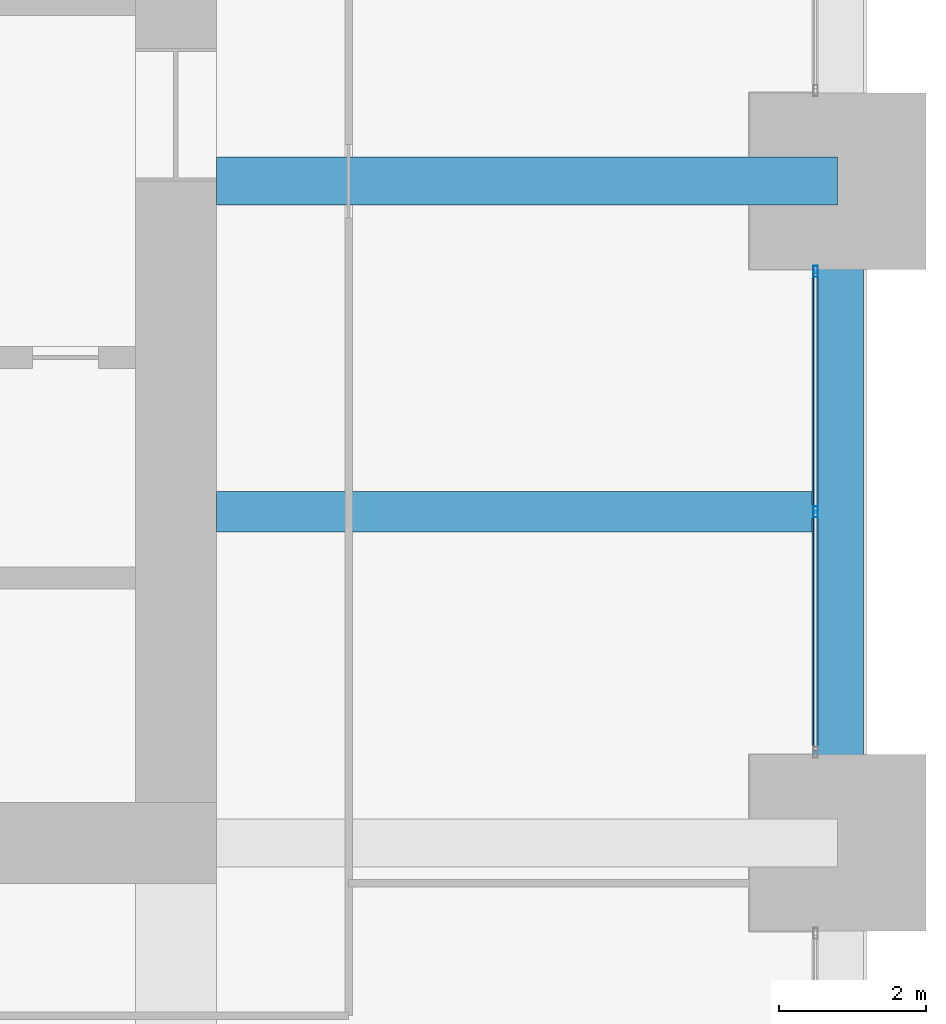
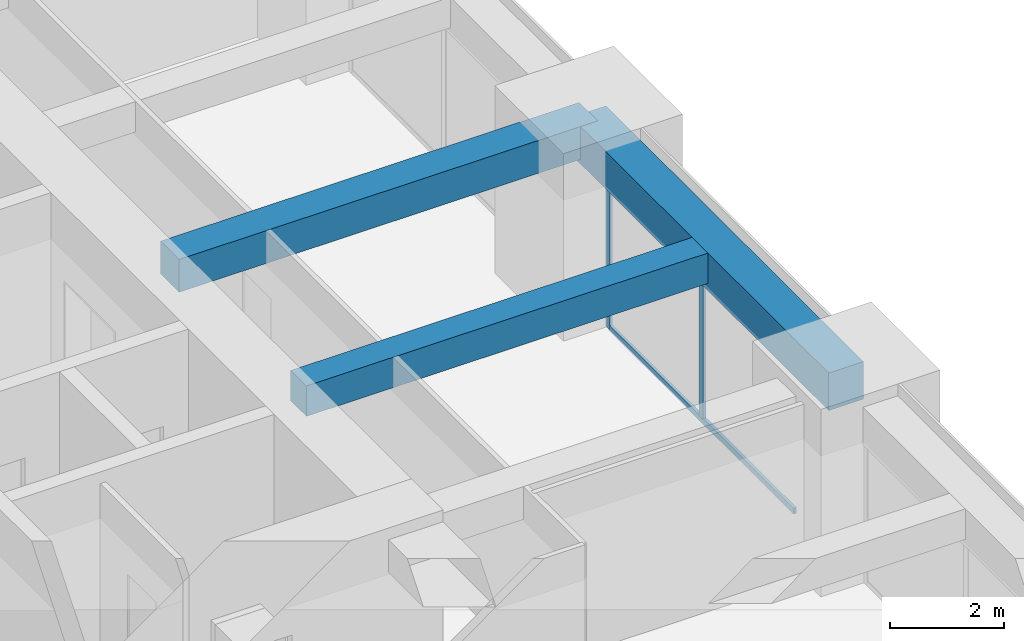
# One storey, part 18 of 34: 3 beams, 3 members, 1 element without a shape of its own.
"""IFC4 building model written with IfcOpenShell, lengths in metres."""

from ifc_helpers import new_model, si_unit, direction, frame, origin, origin_2d, place, context, subcontext, project, spatial, rectangle, hollow_rectangle, extrude, material, material_profile, profile_set, type_object, element, aggregate, save


model = new_model("IFC4")

# Units and contexts
model_context = context("Model", 3, precision=1e-05, world=origin(), true_north=direction((0.0, 1.0)))
body_context = subcontext(model_context, "Body", "Model", "MODEL_VIEW")
ifc_project = project(units=[si_unit("LENGTHUNIT", "METRE"), si_unit("AREAUNIT", "SQUARE_METRE"), si_unit("VOLUMEUNIT", "CUBIC_METRE"), si_unit("PLANEANGLEUNIT", "RADIAN"), si_unit("MASSUNIT", "GRAM", prefix="KILO")], contexts=[model_context])

# Site, building, storey
site_placement = place(None, origin())
site = spatial("IfcSite", under=ifc_project, at=site_placement, CompositionType="ELEMENT")
building_placement = place(site_placement, origin())
building = spatial("IfcBuilding", under=site, at=building_placement, Name="Zorevar Civic Tower", CompositionType="ELEMENT")
storey_placement = place(building_placement, frame((0.0, 0.0, 170.199951171875)))
storey = spatial("IfcBuildingStorey", under=building, at=storey_placement, Name="L41", CompositionType="ELEMENT", Elevation=170.199951171875)

# Beams
ifc_material_1 = material(Name="Concrete C50/60", Category="concrete")
ifc_material_profile_1 = material_profile(ifc_material_1, rectangle(XDim=0.550048828125, YDim=0.64990234375, at=origin_2d()), Name="RC 550x650")
ifc_profile_set_1 = profile_set([ifc_material_profile_1], Name="Concrete C50/60")
beam_type_1 = type_object("IfcBeamType", Name="Beam RC 550x650", PredefinedType="BEAM", material=ifc_profile_set_1)
beam_1_placement = place(storey_placement, frame((45.550048828125, 22.5, 3.425048828125), z_axis=(1.0, 0.0, 0.0), x_axis=(0.0, 1.0, 0.0)))
element("IfcBeam", 1, at=beam_1_placement, inside=storey, type_object=beam_type_1, Name="Secondary beam L42", PredefinedType="BEAM", context=body_context, shape_type="SweptSolid", body=[
    extrude(rectangle(XDim=0.550048828125, YDim=0.64990234375, at=origin_2d()), origin(), (0.0, 0.0, 1.0), 8.099853515625),
])
ifc_material_2 = material(Name="Concrete C50/60", Category="concrete")
ifc_material_profile_2 = material_profile(ifc_material_2, rectangle(XDim=0.64990234375, YDim=0.699951171875, at=origin_2d()), Name="RC 650x700")
ifc_profile_set_2 = profile_set([ifc_material_profile_2], Name="Concrete C50/60")
beam_type_2 = type_object("IfcBeamType", Name="Beam RC 650x700", PredefinedType="BEAM", material=ifc_profile_set_2)
beam_2_placement = place(storey_placement, frame((45.550048828125, 27.0, 3.400146484375), z_axis=(1.0, 0.0, 0.0), x_axis=(0.0, 1.0, 0.0)))
element("IfcBeam", 2, at=beam_2_placement, inside=storey, type_object=beam_type_2, Name="Girder L42", PredefinedType="BEAM", context=body_context, shape_type="SweptSolid", body=[
    extrude(rectangle(XDim=0.64990234375, YDim=0.699951171875, at=origin_2d()), origin(), (0.0, 0.0, 1.0), 8.449951171875),
])

# Curtain wall, members
ifc_material_3 = material(Name="Dark grey solar-control glass in black aluminium frame", Category="aluminium")
curtain_wall_type = type_object("IfcCurtainWallType", Name="Curtain wall CW4 high zone", PredefinedType="NOTDEFINED", material=ifc_material_3)
curtain_wall_placement = place(storey_placement, origin())
curtain_wall = element("IfcCurtainWall", 3, at=curtain_wall_placement, inside=storey, type_object=curtain_wall_type, Name="CW4 L41", PredefinedType="NOTDEFINED")
ifc_material_4 = material(Name="Aluminium, black anodised", Category="aluminium")
ifc_material_profile_3 = material_profile(ifc_material_4, hollow_rectangle(XDim=0.06005859375, YDim=0.14990234375, WallThickness=0.00390625, at=origin_2d()), Name="AL 150x60x4")
ifc_profile_set_3 = profile_set([ifc_material_profile_3], Name="Aluminium, black anodised")
member_type_1 = type_object("IfcMemberType", Name="CW4 mullion AL 150x60x4", PredefinedType="MULLION", material=ifc_profile_set_3)
member_1_placement = place(storey_placement, frame((53.699951171875, 22.5, 0.06005859375), z_axis=(0.0, 0.0, 1.0), x_axis=(-1.0, 0.0, 0.0)))
member_1 = element("IfcMember", 4, at=member_1_placement, type_object=member_type_1, Name="CW4 mullion 2", PredefinedType="MULLION", context=body_context, shape_type="SweptSolid", body=[
    extrude(hollow_rectangle(XDim=0.06005859375, YDim=0.14990234375, WallThickness=0.00390625, at=origin_2d()), origin(), (0.0, 0.0, 1.0), 2.889892578125),
])
member_2_placement = place(storey_placement, frame((53.699951171875, 25.77001953125, 0.0), z_axis=(0.0, 0.0, 1.0), x_axis=(-1.0, 0.0, 0.0)))
member_2 = element("IfcMember", 5, at=member_2_placement, type_object=member_type_1, Name="CW4 mullion 3", PredefinedType="MULLION", context=body_context, shape_type="SweptSolid", body=[
    extrude(hollow_rectangle(XDim=0.06005859375, YDim=0.14990234375, WallThickness=0.00390625, at=origin_2d()), origin(), (0.0, 0.0, 1.0), 2.949951171875),
])
ifc_material_5 = material(Name="Aluminium, black anodised", Category="aluminium")
ifc_material_profile_4 = material_profile(ifc_material_5, hollow_rectangle(XDim=0.06005859375, YDim=0.1201171875, WallThickness=0.0029296875, at=origin_2d()), Name="AL 120x60x3")
ifc_profile_set_4 = profile_set([ifc_material_profile_4], Name="Aluminium, black anodised")
member_type_2 = type_object("IfcMemberType", Name="CW4 transom AL 120x60x3", PredefinedType="USERDEFINED", material=ifc_profile_set_4)
member_3_placement = place(storey_placement, frame((53.699951171875, 19.260009765625, 0.030029296875), z_axis=(0.0, 1.0, 0.0), x_axis=(-1.0, 0.0, 0.0)))
member_3 = element("IfcMember", 6, at=member_3_placement, type_object=member_type_2, Name="CW4 sill transom", ObjectType="TRANSOM", PredefinedType="USERDEFINED", context=body_context, shape_type="SweptSolid", body=[
    extrude(hollow_rectangle(XDim=0.06005859375, YDim=0.1201171875, WallThickness=0.0029296875, at=origin_2d()), origin(), (0.0, 0.0, 1.0), 6.47998046875),
])
aggregate(curtain_wall, [member_1, member_2, member_3])

# Beam
ifc_material_6 = material(Name="Concrete C50/60", Category="concrete")
ifc_material_profile_5 = material_profile(ifc_material_6, rectangle(XDim=0.699951171875, YDim=0.800048828125, at=origin_2d()), Name="RC 700x800")
ifc_profile_set_5 = profile_set([ifc_material_profile_5], Name="Concrete C50/60")
beam_type_3 = type_object("IfcBeamType", Name="Edge beam RC 700x800", PredefinedType="SPANDREL", material=ifc_profile_set_5)
beam_3_placement = place(storey_placement, frame((54.0, 18.0, 3.35009765625), z_axis=(0.0, 1.0, 0.0), x_axis=(-1.0, 0.0, 0.0)))
element("IfcBeam", 7, at=beam_3_placement, inside=storey, type_object=beam_type_3, Name="Edge beam L42", PredefinedType="SPANDREL", context=body_context, shape_type="SweptSolid", body=[
    extrude(rectangle(XDim=0.699951171875, YDim=0.800048828125, at=origin_2d()), origin(), (0.0, 0.0, 1.0), 9.0),
])

save(model, "model.ifc")
